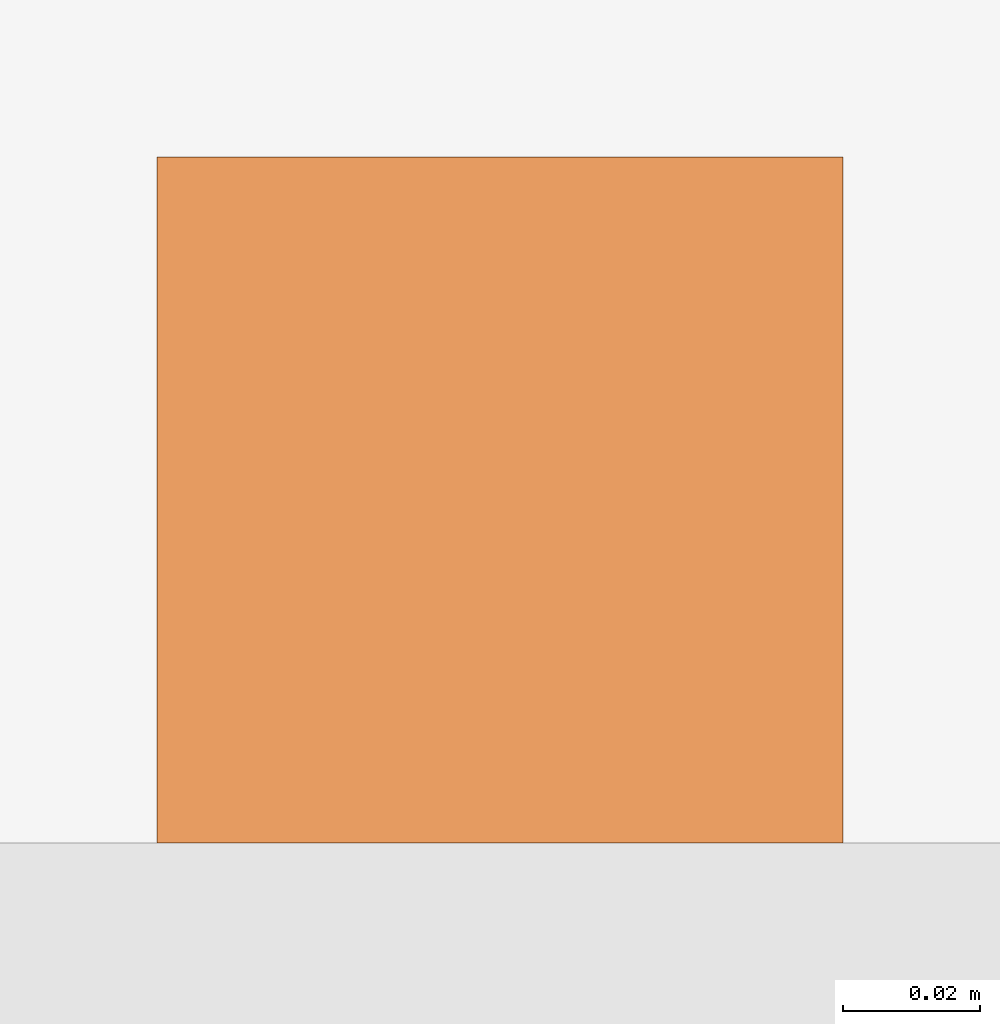
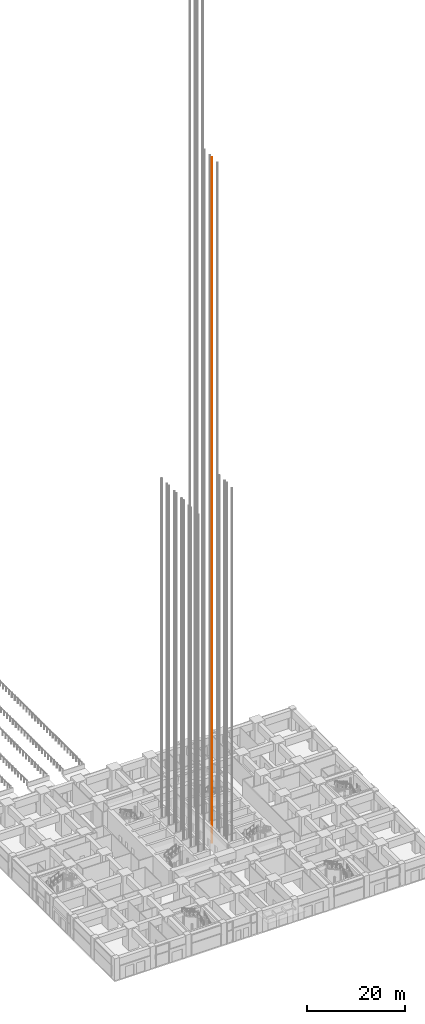
# One storey, part 72 of 81: 1 proxy.
"""IFC4 building model written with IfcOpenShell, lengths in metres."""

import ifcopenshell
import ifcopenshell.guid

model = None  # the IFC model being written
_history = None  # IfcOwnerHistory: only IFC2X3 demands one
_inside = {}  # id of a spatial element -> (the spatial element, [elements in it])
_under = {}  # id of a project, library or spatial element -> (it, [spatial elements below it])
_declared = {}  # id of a project -> (the project, [libraries it declares])
_typed = {}  # id of a type object -> (the type object, [elements of that type])
_made_of = {}  # id of a material, layer set ... -> (it, [elements and type objects made of it])


def new_model(schema):
    """Start an empty IFC model of exactly this schema.

    Asked for "IFC4X3", IfcOpenShell would pick the latest addendum, in which some entities
    have other attributes; the version numbers below select the first issue.
    IFC2X3 requires an IfcOwnerHistory on every rooted entity: one is made here for all.
    """
    global model, _history
    if schema == "IFC4X3":
        model = ifcopenshell.file(schema_version=(4, 3, 0, 0))
    else:
        model = ifcopenshell.file(schema=schema)
    _inside.clear()
    _under.clear()
    _declared.clear()
    _typed.clear()
    _made_of.clear()
    _history = None
    if model.schema == "IFC2X3":
        org = make("IfcOrganization", Name="unknown")
        user = make(
            "IfcPersonAndOrganization",
            ThePerson=make("IfcPerson", FamilyName="unknown"),
            TheOrganization=org,
        )
        app = make(
            "IfcApplication",
            ApplicationDeveloper=org,
            Version="unknown",
            ApplicationFullName="unknown",
            ApplicationIdentifier="unknown",
        )
        _history = make(
            "IfcOwnerHistory",
            OwningUser=user,
            OwningApplication=app,
            ChangeAction="ADDED",
            CreationDate=0,
        )
    return model


def make(cls, **values):
    """One entity of the class cls with the attributes given. An attribute that is None is left unset."""
    return model.create_entity(
        cls, **{name: value for name, value in values.items() if value is not None}
    )


def rooted(cls, **values):
    """An entity with a GlobalId (a new one), such as an element, a storey or a relation."""
    return make(cls, GlobalId=ifcopenshell.guid.new(), OwnerHistory=_history, **values)


def si_unit(unit_type, name, prefix=None):
    """IfcSIUnit, for example si_unit("LENGTHUNIT", "METRE", prefix="MILLI")."""
    return make("IfcSIUnit", UnitType=unit_type, Prefix=prefix, Name=name)


def assignment(units):
    """IfcUnitAssignment: the units of a project."""
    return None if units is None else make("IfcUnitAssignment", Units=units)


def point(xyz):
    """IfcCartesianPoint."""
    return None if xyz is None else make("IfcCartesianPoint", Coordinates=xyz)


def direction(xyz):
    """IfcDirection."""
    return None if xyz is None else make("IfcDirection", DirectionRatios=xyz)


def frame(location, z_axis=None, x_axis=None):
    """IfcAxis2Placement3D, a coordinate frame: its origin and axes. An axis left out is left unset."""
    return make(
        "IfcAxis2Placement3D",
        Location=point(location),
        Axis=direction(z_axis),
        RefDirection=direction(x_axis),
    )


def frame_2d(location, x_axis=None):
    """IfcAxis2Placement2D, a coordinate frame in the plane: its origin and x axis."""
    return make(
        "IfcAxis2Placement2D", Location=point(location), RefDirection=direction(x_axis)
    )


def origin():
    """The frame at (0, 0, 0) with its axes left unset."""
    return frame((0.0, 0.0, 0.0))


def origin_2d():
    """The frame at (0, 0) in the plane with its x axis left unset."""
    return frame_2d((0.0, 0.0))


def place(relative_to, where):
    """IfcLocalPlacement: puts the frame where relative to a parent placement (None: the world)."""
    return make(
        "IfcLocalPlacement", PlacementRelTo=relative_to, RelativePlacement=where
    )


def context(
    kind, dimensions, precision=None, world=None, true_north=None, identifier=None
):
    """IfcGeometricRepresentationContext, for example the 3D "Model" context."""
    return make(
        "IfcGeometricRepresentationContext",
        ContextIdentifier=identifier,
        ContextType=kind,
        CoordinateSpaceDimension=dimensions,
        Precision=precision,
        WorldCoordinateSystem=world,
        TrueNorth=true_north,
    )


def subcontext(parent, identifier, kind, view, scale=None):
    """IfcGeometricRepresentationSubContext, for example "Body" below "Model"."""
    return make(
        "IfcGeometricRepresentationSubContext",
        ContextIdentifier=identifier,
        ContextType=kind,
        ParentContext=parent,
        TargetScale=scale,
        TargetView=view,
    )


def project(units=None, contexts=None):
    """IfcProject with its units and contexts."""
    return rooted(
        "IfcProject",
        Name="project",
        RepresentationContexts=contexts,
        UnitsInContext=assignment(units),
    )


def spatial(cls, under=None, at=None, **own):
    """A site, building, storey or space (cls), placed at a placement, below another one or the project."""
    s = rooted(cls, ObjectPlacement=at, **own)
    if under is not None:
        _under.setdefault(under.id(), (under, []))[1].append(s)
    return s


def profile(cls, at=None, kind="AREA", **sizes):
    """A parametric profile (cls). Its sizes go by their IFC names, for example OverallWidth=200.0."""
    return make(cls, ProfileType=kind, Position=at, **sizes)


def rectangle(**sizes):
    """IfcRectangleProfileDef."""
    return profile("IfcRectangleProfileDef", **sizes)


def extrude(swept, where, along, depth):
    """IfcExtrudedAreaSolid: the profile swept, set in the frame where, extruded along a direction by depth."""
    return make(
        "IfcExtrudedAreaSolid",
        SweptArea=swept,
        Position=where,
        ExtrudedDirection=direction(along),
        Depth=depth,
    )


def shape(context_of_items, identifier, shape_type, items):
    """IfcShapeRepresentation: the items that make up one representation, for example the "Body"."""
    return make(
        "IfcShapeRepresentation",
        ContextOfItems=context_of_items,
        RepresentationIdentifier=identifier,
        RepresentationType=shape_type,
        Items=items,
    )


def material(Name=None, Category=None):
    """IfcMaterial."""
    return make("IfcMaterial", Name=Name, Category=Category)


def made_of(thing, what):
    """Note that an element or type object is made of a material, layer set ...; save() writes the relation."""
    if what is not None:
        _made_of.setdefault(what.id(), (what, []))[1].append(thing)
    return thing


def type_object(cls, material=None, **own):
    """A type object (cls), such as IfcWallType, which elements share."""
    return made_of(rooted(cls, **own), material)


def element(
    cls,
    number,
    at=None,
    inside=None,
    cuts=None,
    type_object=None,
    material=None,
    context=None,
    identifier="Body",
    shape_type=None,
    held_by="IfcProductDefinitionShape",
    body=None,
    shapes=None,
    **own,
):
    """One element of the class cls, such as IfcWall. Its Tag is "e" and its number.

    at: its placement. inside: the storey or other place that contains it. cuts: it is an
    opening in that element (IfcRelVoidsElement). A single representation is given by context,
    identifier, shape_type and body (its items); several are given by shapes. held_by: the class
    of the entity that holds the representations. save() writes the other relations.
    """
    e = rooted(cls, Tag="e%d" % number, ObjectPlacement=at, **own)
    if body is not None:
        shapes = [shape(context, identifier, shape_type, body)]
    if shapes is not None:
        e.Representation = make(held_by, Representations=shapes)
    if inside is not None:
        _inside.setdefault(inside.id(), (inside, []))[1].append(e)
    if cuts is not None:
        rooted(
            "IfcRelVoidsElement", RelatingBuildingElement=cuts, RelatedOpeningElement=e
        )
    if type_object is not None:
        _typed.setdefault(type_object.id(), (type_object, []))[1].append(e)
    return made_of(e, material)


def aggregate(whole, parts):
    """IfcRelAggregates: a whole, such as a stair, and the parts it consists of."""
    return rooted("IfcRelAggregates", RelatingObject=whole, RelatedObjects=parts)


def save(model, path):
    """Write the relations noted so far, then the file.

    IfcRelAggregates (storeys below a building ...), IfcRelContainedInSpatialStructure (elements
    in a storey), IfcRelDefinesByType, IfcRelAssociatesMaterial and IfcRelDeclares: one each for
    every whole, place, type object, material and project.
    """
    for whole, parts in _under.values():
        aggregate(whole, parts)
    for where, things in _inside.values():
        rooted(
            "IfcRelContainedInSpatialStructure",
            RelatedElements=things,
            RelatingStructure=where,
        )
    for kind, things in _typed.values():
        rooted("IfcRelDefinesByType", RelatedObjects=things, RelatingType=kind)
    for what, things in _made_of.values():
        rooted("IfcRelAssociatesMaterial", RelatedObjects=things, RelatingMaterial=what)
    for by, libraries in _declared.values():
        rooted("IfcRelDeclares", RelatingContext=by, RelatedDefinitions=libraries)
    model.write(path)


model = new_model("IFC4")

# Units and contexts
model_context = context("Model", 3, precision=1e-05, world=origin(), true_north=direction((0.0, 1.0)))
body_context = subcontext(model_context, "Body", "Model", "MODEL_VIEW")
ifc_project = project(units=[si_unit("LENGTHUNIT", "METRE"), si_unit("AREAUNIT", "SQUARE_METRE"), si_unit("VOLUMEUNIT", "CUBIC_METRE"), si_unit("PLANEANGLEUNIT", "RADIAN"), si_unit("MASSUNIT", "GRAM", prefix="KILO")], contexts=[model_context])

# Site, building, storey
site_placement = place(None, origin())
site = spatial("IfcSite", under=ifc_project, at=site_placement, CompositionType="ELEMENT")
building_placement = place(site_placement, origin())
building = spatial("IfcBuilding", under=site, at=building_placement, Name="Rekha Terrace Tower", CompositionType="ELEMENT")
storey_placement = place(building_placement, origin())
storey = spatial("IfcBuildingStorey", under=building, at=storey_placement, Name="L00", CompositionType="ELEMENT", Elevation=0.0)

# Proxy
ifc_material = material(Name="Steel guide rail", Category="steel")
building_element_proxy_type = type_object("IfcBuildingElementProxyType", Name="LR1 100 lift guide rail", PredefinedType="ELEMENT", material=ifc_material)
proxy_placement = place(storey_placement, frame((41.14990234375, 32.0, 0.0), z_axis=(0.0, 0.0, 1.0), x_axis=(1.0, 0.0, 0.0)))
element("IfcBuildingElementProxy", 1, at=proxy_placement, inside=storey, type_object=building_element_proxy_type, Name="Lift SH3 guide rail 2", PredefinedType="ELEMENT", context=body_context, shape_type="SweptSolid", body=[
    extrude(rectangle(XDim=0.10009765625, YDim=0.10009765625, at=origin_2d()), origin(), (0.0, 0.0, 1.0), 170.60009765625),
])

save(model, "model.ifc")
